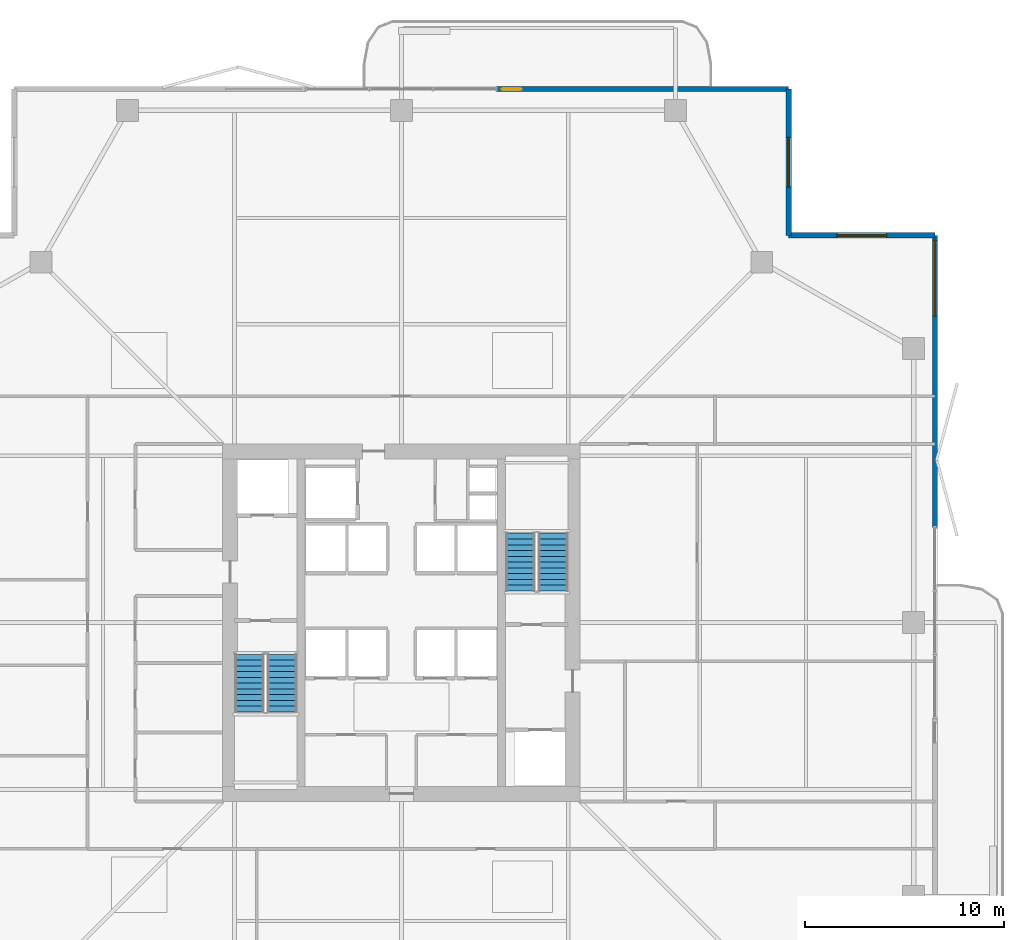
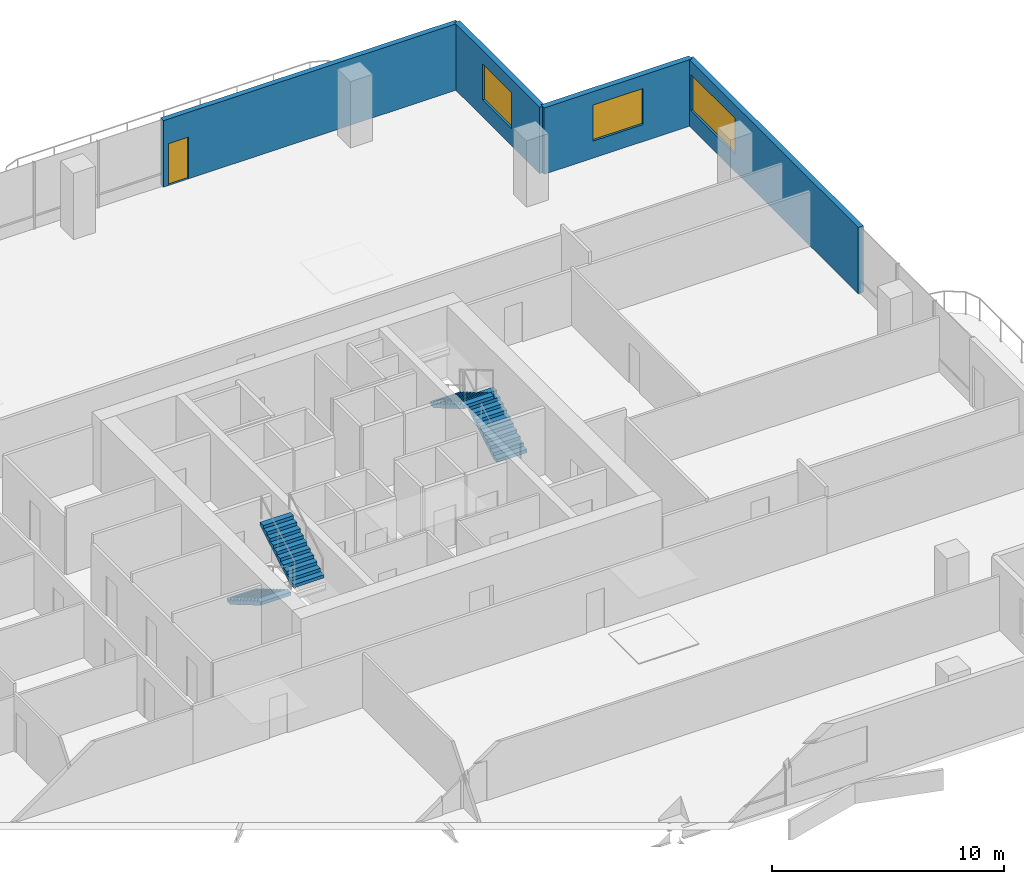
# One storey, part 20 of 23: 4 stair flights, 4 walls, 3 windows, 1 door, 4 openings, 2 elements without a shape of their own.
"""IFC4 building model written with IfcOpenShell, lengths in metres."""

from ifc_helpers import new_model, si_unit, direction, frame, frame_2d, origin, place, context, subcontext, project, spatial, polyline, rectangle, outline, extrude, material, layer, layer_set, type_object, element, fill, aggregate, save


model = new_model("IFC4")

# Units and contexts
model_context = context("Model", 3, precision=1e-05, world=origin(), true_north=direction((0.0, 1.0)))
body_context = subcontext(model_context, "Body", "Model", "MODEL_VIEW")
ifc_project = project(units=[si_unit("LENGTHUNIT", "METRE"), si_unit("AREAUNIT", "SQUARE_METRE"), si_unit("VOLUMEUNIT", "CUBIC_METRE"), si_unit("PLANEANGLEUNIT", "RADIAN"), si_unit("MASSUNIT", "GRAM", prefix="KILO")], contexts=[model_context])

# Site, building, storey
site_placement = place(None, origin())
site = spatial("IfcSite", under=ifc_project, at=site_placement, CompositionType="ELEMENT")
building_placement = place(site_placement, origin())
building = spatial("IfcBuilding", under=site, at=building_placement, Name="Belovzor Exchange Tower", CompositionType="ELEMENT")
storey_placement = place(building_placement, frame((0.0, 0.0, 229.949951171875)))
storey = spatial("IfcBuildingStorey", under=building, at=storey_placement, Name="L57", CompositionType="ELEMENT", Elevation=229.949951171875)

# Wall, opening, window
ifc_material_1 = material(Name="Precast concrete C40/50", Category="concrete")
ifc_layer_1 = layer(ifc_material_1, 0.280029296875)
ifc_layer_set_1 = layer_set([ifc_layer_1], Name="Precast concrete C40/50")
wall_type_1 = type_object("IfcWallType", Name="Precast Concrete Notched Corner Frame Wall 280", PredefinedType="SOLIDWALL", material=ifc_layer_set_1)
wall_1_placement = place(storey_placement, frame((48.300048828125, 55.669921875, 0.0), z_axis=(0.0, 0.0, 1.0), x_axis=(0.0, -1.0, 0.0)))
wall_1 = element("IfcWall", 1, at=wall_1_placement, inside=storey, type_object=wall_type_1, Name="W-CRN280 Precast Concrete Notched Corner Frame Wall 280 L57", PredefinedType="SOLIDWALL", context=body_context, shape_type="SweptSolid", body=[
    extrude(rectangle(XDim=7.369873046875, YDim=0.280029296875, at=frame_2d((3.68505859375, 0.0))), origin(), (0.0, 0.0, 1.0), 3.5),
])
opening_1_placement = place(wall_1_placement, frame((2.43505859375, 0.0, 0.89990234375)))
opening_1 = element("IfcOpeningElement", 2, at=opening_1_placement, cuts=wall_1, Name="Opening WN-CRN250", PredefinedType="OPENING", context=body_context, shape_type="SweptSolid", body=[
    extrude(rectangle(XDim=2.5, YDim=1.89990234375, at=frame_2d((1.25, 0.949951171875))), frame((0.0, 0.14990234375, 0.0), z_axis=(0.0, -1.0, 0.0), x_axis=(1.0, 0.0, 0.0)), (0.0, 0.0, 1.0), 0.300048828125),
])
ifc_material_2 = material(Name="Thermally Broken Aluminium and Triple Glazing", Category="aluminium")
window_type_1 = type_object("IfcWindowType", Name="Streamline Moderne Corner Wrap Ribbon Window 2500x1900", PartitioningType="SINGLE_PANEL", PredefinedType="WINDOW", material=ifc_material_2)
window_1_placement = place(opening_1_placement, origin())
window_1 = element("IfcWindow", 3, at=window_1_placement, inside=storey, type_object=window_type_1, Name="WN-CRN250 Streamline Moderne Corner Wrap Ribbon Window 2500x1900", OverallHeight=1.89990234375, OverallWidth=2.5, PartitioningType="SINGLE_PANEL", PredefinedType="WINDOW", context=body_context, shape_type="SweptSolid", body=[
    extrude(rectangle(XDim=2.5, YDim=1.89990234375, at=frame_2d((1.25, 0.949951171875))), frame((0.0, 0.030029296875, 0.0), z_axis=(0.0, -1.0, 0.0), x_axis=(1.0, 0.0, 0.0)), (0.0, 0.0, 1.0), 0.06005859375),
])
fill(opening_1, window_1)

wall_2_placement = place(storey_placement, frame((48.300048828125, 48.300048828125, 0.0), z_axis=(0.0, 0.0, 1.0), x_axis=(1.0, 0.0, 0.0)))
wall_2 = element("IfcWall", 4, at=wall_2_placement, inside=storey, type_object=wall_type_1, Name="W-CRN280 Precast Concrete Notched Corner Frame Wall 280 L57", PredefinedType="SOLIDWALL", context=body_context, shape_type="SweptSolid", body=[
    extrude(rectangle(XDim=7.369873046875, YDim=0.280029296875, at=frame_2d((3.68505859375, 0.0))), origin(), (0.0, 0.0, 1.0), 3.5),
])
opening_2_placement = place(wall_2_placement, frame((2.43505859375, 0.0, 0.89990234375)))
opening_2 = element("IfcOpeningElement", 5, at=opening_2_placement, cuts=wall_2, Name="Opening WN-CRN250", PredefinedType="OPENING", context=body_context, shape_type="SweptSolid", body=[
    extrude(rectangle(XDim=2.5, YDim=1.89990234375, at=frame_2d((1.25, 0.949951171875))), frame((0.0, 0.14990234375, 0.0), z_axis=(0.0, -1.0, 0.0), x_axis=(1.0, 0.0, 0.0)), (0.0, 0.0, 1.0), 0.300048828125),
])
window_2_placement = place(opening_2_placement, origin())
window_2 = element("IfcWindow", 6, at=window_2_placement, inside=storey, type_object=window_type_1, Name="WN-CRN250 Streamline Moderne Corner Wrap Ribbon Window 2500x1900", OverallHeight=1.89990234375, OverallWidth=2.5, PartitioningType="SINGLE_PANEL", PredefinedType="WINDOW", context=body_context, shape_type="SweptSolid", body=[
    extrude(rectangle(XDim=2.5, YDim=1.89990234375, at=frame_2d((1.25, 0.949951171875))), frame((0.0, 0.030029296875, 0.0), z_axis=(0.0, -1.0, 0.0), x_axis=(1.0, 0.0, 0.0)), (0.0, 0.0, 1.0), 0.06005859375),
])
fill(opening_2, window_2)

# Wall, opening, door
ifc_material_3 = material(Name="Precast concrete C40/50", Category="concrete")
ifc_layer_2 = layer(ifc_material_3, 0.260009765625)
ifc_layer_set_2 = layer_set([ifc_layer_2], Name="Precast concrete C40/50")
wall_type_2 = type_object("IfcWallType", Name="Precast Concrete Perimeter Loggia Frame Wall 260", PredefinedType="SOLIDWALL", material=ifc_layer_set_2)
wall_3_placement = place(storey_placement, frame((33.60009765625, 55.669921875, 0.0), z_axis=(0.0, 0.0, 1.0), x_axis=(1.0, 0.0, 0.0)))
wall_3 = element("IfcWall", 7, at=wall_3_placement, inside=storey, type_object=wall_type_2, Name="W-EXT260 Precast Concrete Perimeter Loggia Frame Wall 260 L57", PredefinedType="SOLIDWALL", context=body_context, shape_type="SweptSolid", body=[
    extrude(rectangle(XDim=14.699951171875, YDim=0.260009765625, at=frame_2d((7.35009765625, 0.0))), origin(), (0.0, 0.0, 1.0), 3.5),
])
opening_3_placement = place(wall_3_placement, frame((0.25, 0.0, 0.0)))
opening_3 = element("IfcOpeningElement", 8, at=opening_3_placement, cuts=wall_3, Name="Opening D-BAL100", PredefinedType="OPENING", context=body_context, shape_type="SweptSolid", body=[
    extrude(rectangle(XDim=1.0, YDim=2.199951171875, at=frame_2d((0.5, 1.10009765625))), frame((0.0, 0.139892578125, 0.0), z_axis=(0.0, -1.0, 0.0), x_axis=(1.0, 0.0, 0.0)), (0.0, 0.0, 1.0), 0.280029296875),
])
ifc_material_4 = material(Name="Thermally Broken Anodised Aluminium and Laminated Glass", Category="aluminium")
door_type = type_object("IfcDoorType", Name="Planted Loggia Terrace Glazed Door 1000x2200", OperationType="SINGLE_SWING_LEFT", PredefinedType="DOOR", material=ifc_material_4)
door_placement = place(opening_3_placement, origin())
door = element("IfcDoor", 9, at=door_placement, inside=storey, type_object=door_type, Name="D-BAL100 Balcony Terrace Door L57 N", OperationType="SINGLE_SWING_RIGHT", OverallHeight=2.199951171875, OverallWidth=1.0, PredefinedType="DOOR", context=body_context, shape_type="SweptSolid", body=[
    extrude(rectangle(XDim=1.0, YDim=2.199951171875, at=frame_2d((0.5, 1.10009765625))), frame((0.0, 0.02490234375, 0.0), z_axis=(0.0, -1.0, 0.0), x_axis=(1.0, 0.0, 0.0)), (0.0, 0.0, 1.0), 0.050048828125),
])
fill(opening_3, door)

# Wall, opening, window
wall_4_placement = place(storey_placement, frame((55.669921875, 48.300048828125, 0.0), z_axis=(0.0, 0.0, 1.0), x_axis=(0.0, -1.0, 0.0)))
wall_4 = element("IfcWall", 10, at=wall_4_placement, inside=storey, type_object=wall_type_2, Name="W-EXT260 Precast Concrete Perimeter Loggia Frame Wall 260 L57", PredefinedType="SOLIDWALL", context=body_context, shape_type="SweptSolid", body=[
    extrude(rectangle(XDim=14.699951171875, YDim=0.260009765625, at=frame_2d((7.35009765625, 0.0))), origin(), (0.0, 0.0, 1.0), 3.5),
])
opening_4_placement = place(wall_4_placement, frame((0.25, 0.0, 0.89990234375)))
opening_4 = element("IfcOpeningElement", 11, at=opening_4_placement, cuts=wall_4, Name="Opening WN-RIB380", PredefinedType="OPENING", context=body_context, shape_type="SweptSolid", body=[
    extrude(rectangle(XDim=3.800048828125, YDim=1.89990234375, at=frame_2d((1.89990234375, 0.949951171875))), frame((0.0, 0.139892578125, 0.0), z_axis=(0.0, -1.0, 0.0), x_axis=(1.0, 0.0, 0.0)), (0.0, 0.0, 1.0), 0.280029296875),
])
ifc_material_5 = material(Name="Thermally Broken Aluminium and Triple Glazing", Category="aluminium")
window_type_2 = type_object("IfcWindowType", Name="Streamline Moderne Horizontal Ribbon Window 3800x1900", PartitioningType="SINGLE_PANEL", PredefinedType="WINDOW", material=ifc_material_5)
window_3_placement = place(opening_4_placement, origin())
window_3 = element("IfcWindow", 12, at=window_3_placement, inside=storey, type_object=window_type_2, Name="WN-RIB380 Streamline Moderne Horizontal Ribbon Window 3800x1900", OverallHeight=1.89990234375, OverallWidth=3.800048828125, PartitioningType="SINGLE_PANEL", PredefinedType="WINDOW", context=body_context, shape_type="SweptSolid", body=[
    extrude(rectangle(XDim=3.800048828125, YDim=1.89990234375, at=frame_2d((1.89990234375, 0.949951171875))), frame((0.0, 0.030029296875, 0.0), z_axis=(0.0, -1.0, 0.0), x_axis=(1.0, 0.0, 0.0)), (0.0, 0.0, 1.0), 0.06005859375),
])
fill(opening_4, window_3)

# Stair, stair flights
ifc_material_6 = material(Name="Concrete C40/50", Category="concrete")
stair_type = type_object("IfcStairType", Name="Reinforced Concrete Dogleg Escape Stair 1350", PredefinedType="HALF_TURN_STAIR", material=ifc_material_6)
stair_1_placement = place(storey_placement, origin())
stair_1 = element("IfcStair", 13, at=stair_1_placement, inside=storey, type_object=stair_type, Name="L57 ST-1", PredefinedType="HALF_TURN_STAIR")
ifc_material_7 = material(Name="Concrete C40/50", Category="concrete")
stair_flight_type = type_object("IfcStairFlightType", Name="Reinforced Concrete Stair Flight 1350", PredefinedType="STRAIGHT", material=ifc_material_7)
stair_flight_1_placement = place(storey_placement, frame((21.14990234375, 27.199951171875, 0.0), z_axis=(0.0, 0.0, 1.0), x_axis=(0.0, -1.0, 0.0)))
stair_flight_1 = element("IfcStairFlight", 14, at=stair_flight_1_placement, type_object=stair_flight_type, Name="ST-1 flight 1", NumberOfRisers=11, NumberOfTreads=10, PredefinedType="STRAIGHT", RiserHeight=0.170454545, TreadLength=0.29, context=body_context, shape_type="SweptSolid", body=[
    extrude(outline(polyline([(0.0, 0.0), (0.0, 0.17041015625), (0.2900390625, 0.17041015625), (0.2900390625, 0.3408203125), (0.580078125, 0.3408203125), (0.580078125, 0.511474609375), (0.8701171875, 0.511474609375), (0.8701171875, 0.681884765625), (1.159912109375, 0.681884765625), (1.159912109375, 0.852294921875), (1.449951171875, 0.852294921875), (1.449951171875, 1.022705078125), (1.739990234375, 1.022705078125), (1.739990234375, 1.193115234375), (2.030029296875, 1.193115234375), (2.030029296875, 1.363525390625), (2.320068359375, 1.363525390625), (2.320068359375, 1.5341796875), (2.610107421875, 1.5341796875), (2.610107421875, 1.70458984375), (2.89990234375, 1.70458984375), (2.89990234375, 1.875), (2.89990234375, 1.53076171875), (0.2958984375, 0.0), (0.0, 0.0)])), frame((0.0, 0.75, 0.0), z_axis=(0.0, -1.0, 0.0), x_axis=(1.0, 0.0, 0.0)), (0.0, 0.0, 1.0), 1.5),
])
stair_flight_2_placement = place(storey_placement, frame((22.800048828125, 24.300048828125, 1.875), z_axis=(0.0, 0.0, 1.0), x_axis=(0.0, 1.0, 0.0)))
stair_flight_2 = element("IfcStairFlight", 15, at=stair_flight_2_placement, type_object=stair_flight_type, Name="ST-1 flight 2", NumberOfRisers=11, NumberOfTreads=10, PredefinedType="STRAIGHT", RiserHeight=0.170454545, TreadLength=0.29, context=body_context, shape_type="SweptSolid", body=[
    extrude(outline(polyline([(0.0, 0.0), (0.0, 0.17041015625), (0.2900390625, 0.17041015625), (0.2900390625, 0.3408203125), (0.580078125, 0.3408203125), (0.580078125, 0.511474609375), (0.8701171875, 0.511474609375), (0.8701171875, 0.681884765625), (1.159912109375, 0.681884765625), (1.159912109375, 0.852294921875), (1.449951171875, 0.852294921875), (1.449951171875, 1.022705078125), (1.739990234375, 1.022705078125), (1.739990234375, 1.193115234375), (2.030029296875, 1.193115234375), (2.030029296875, 1.363525390625), (2.320068359375, 1.363525390625), (2.320068359375, 1.5341796875), (2.610107421875, 1.5341796875), (2.610107421875, 1.70458984375), (2.89990234375, 1.70458984375), (2.89990234375, 1.875), (2.89990234375, 1.53076171875), (0.2958984375, 0.0), (0.0, 0.0)])), frame((0.0, 0.75, 0.0), z_axis=(0.0, -1.0, 0.0), x_axis=(1.0, 0.0, 0.0)), (0.0, 0.0, 1.0), 1.5),
])
aggregate(stair_1, [stair_flight_1, stair_flight_2])

stair_2_placement = place(storey_placement, origin())
stair_2 = element("IfcStair", 16, at=stair_2_placement, inside=storey, type_object=stair_type, Name="L57 ST-2", PredefinedType="HALF_TURN_STAIR")
stair_flight_3_placement = place(storey_placement, frame((36.449951171875, 30.39990234375, 0.0), z_axis=(0.0, 0.0, 1.0), x_axis=(0.0, 1.0, 0.0)))
stair_flight_3 = element("IfcStairFlight", 17, at=stair_flight_3_placement, type_object=stair_flight_type, Name="ST-2 flight 1", NumberOfRisers=11, NumberOfTreads=10, PredefinedType="STRAIGHT", RiserHeight=0.170454545, TreadLength=0.29, context=body_context, shape_type="SweptSolid", body=[
    extrude(outline(polyline([(0.0, 0.0), (0.0, 0.17041015625), (0.2900390625, 0.17041015625), (0.2900390625, 0.3408203125), (0.580078125, 0.3408203125), (0.580078125, 0.511474609375), (0.8701171875, 0.511474609375), (0.8701171875, 0.681884765625), (1.159912109375, 0.681884765625), (1.159912109375, 0.852294921875), (1.449951171875, 0.852294921875), (1.449951171875, 1.022705078125), (1.739990234375, 1.022705078125), (1.739990234375, 1.193115234375), (2.030029296875, 1.193115234375), (2.030029296875, 1.363525390625), (2.320068359375, 1.363525390625), (2.320068359375, 1.5341796875), (2.610107421875, 1.5341796875), (2.610107421875, 1.70458984375), (2.89990234375, 1.70458984375), (2.89990234375, 1.875), (2.89990234375, 1.53076171875), (0.2958984375, 0.0), (0.0, 0.0)])), frame((0.0, 0.75, 0.0), z_axis=(0.0, -1.0, 0.0), x_axis=(1.0, 0.0, 0.0)), (0.0, 0.0, 1.0), 1.5),
])
stair_flight_4_placement = place(storey_placement, frame((34.800048828125, 33.300048828125, 1.875), z_axis=(0.0, 0.0, 1.0), x_axis=(0.0, -1.0, 0.0)))
stair_flight_4 = element("IfcStairFlight", 18, at=stair_flight_4_placement, type_object=stair_flight_type, Name="ST-2 flight 2", NumberOfRisers=11, NumberOfTreads=10, PredefinedType="STRAIGHT", RiserHeight=0.170454545, TreadLength=0.29, context=body_context, shape_type="SweptSolid", body=[
    extrude(outline(polyline([(0.0, 0.0), (0.0, 0.17041015625), (0.2900390625, 0.17041015625), (0.2900390625, 0.3408203125), (0.580078125, 0.3408203125), (0.580078125, 0.511474609375), (0.8701171875, 0.511474609375), (0.8701171875, 0.681884765625), (1.159912109375, 0.681884765625), (1.159912109375, 0.852294921875), (1.449951171875, 0.852294921875), (1.449951171875, 1.022705078125), (1.739990234375, 1.022705078125), (1.739990234375, 1.193115234375), (2.030029296875, 1.193115234375), (2.030029296875, 1.363525390625), (2.320068359375, 1.363525390625), (2.320068359375, 1.5341796875), (2.610107421875, 1.5341796875), (2.610107421875, 1.70458984375), (2.89990234375, 1.70458984375), (2.89990234375, 1.875), (2.89990234375, 1.53076171875), (0.2958984375, 0.0), (0.0, 0.0)])), frame((0.0, 0.75, 0.0), z_axis=(0.0, -1.0, 0.0), x_axis=(1.0, 0.0, 0.0)), (0.0, 0.0, 1.0), 1.5),
])
aggregate(stair_2, [stair_flight_3, stair_flight_4])

save(model, "model.ifc")
